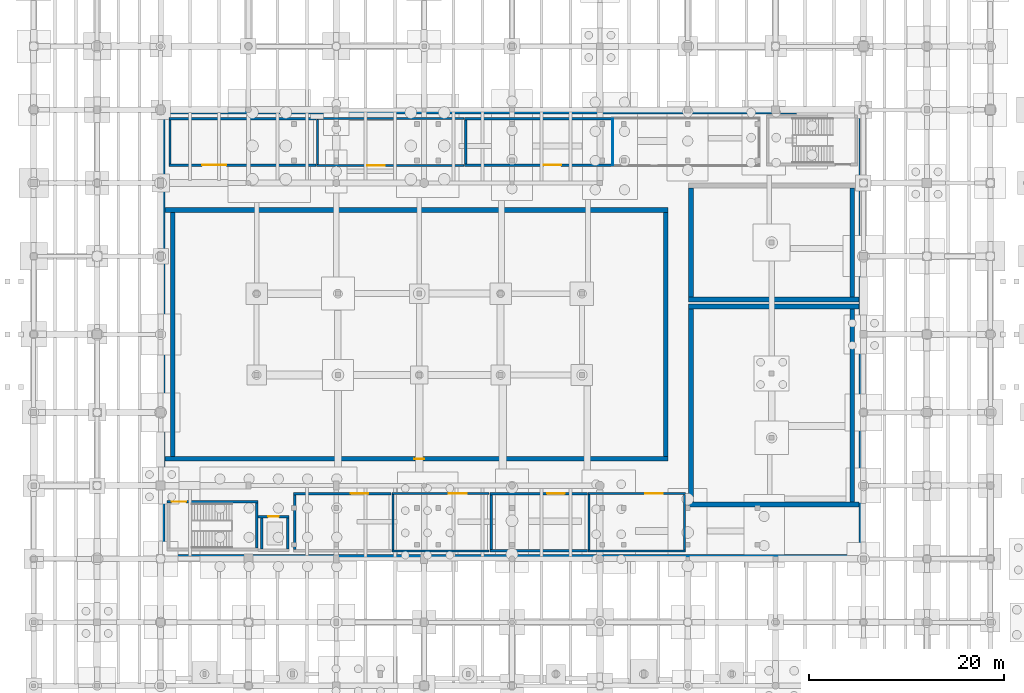
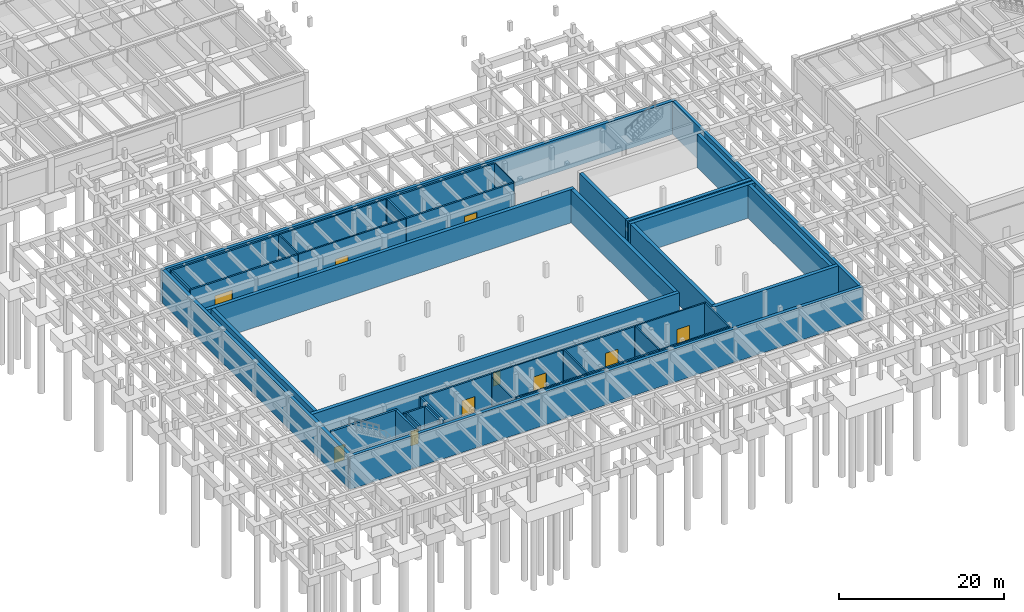
# One storey, part 28 of 36: 42 walls, 10 doors, 10 openings.
"""IFC4 building model written with IfcOpenShell, lengths in metres."""

from ifc_helpers import new_model, si_unit, direction, frame, frame_2d, origin, place, context, subcontext, project, spatial, rectangle, extrude, material, layer, layer_set, type_object, element, fill, save


model = new_model("IFC4")

# Units and contexts
model_context = context("Model", 3, precision=1e-05, world=origin(), true_north=direction((0.0, 1.0)))
body_context = subcontext(model_context, "Body", "Model", "MODEL_VIEW")
ifc_project = project(units=[si_unit("LENGTHUNIT", "METRE"), si_unit("AREAUNIT", "SQUARE_METRE"), si_unit("VOLUMEUNIT", "CUBIC_METRE"), si_unit("PLANEANGLEUNIT", "RADIAN"), si_unit("MASSUNIT", "GRAM", prefix="KILO"), si_unit("THERMODYNAMICTEMPERATUREUNIT", "KELVIN"), si_unit("POWERUNIT", "WATT")], contexts=[model_context])

# Site, building, storey
site_placement = place(None, origin())
site = spatial("IfcSite", under=ifc_project, at=site_placement, CompositionType="ELEMENT")
building_placement = place(site_placement, origin())
building = spatial("IfcBuilding", under=site, at=building_placement, Name="Tepalcoro Natatorium and Aquatics Centre", CompositionType="ELEMENT")
storey_placement = place(building_placement, frame((0.0, 0.0, -5.199951171875)))
storey = spatial("IfcBuildingStorey", under=building, at=storey_placement, Name="B1", CompositionType="ELEMENT", Elevation=-5.199951171875)

# Walls
ifc_material_1 = material(Name="Moisture-Resistant Acoustic Gypsum Drywall on Cold-Formed Metal Studs")
ifc_layer_1 = layer(ifc_material_1, 0.10009765625)
ifc_layer_set_1 = layer_set([ifc_layer_1], Name="Moisture-Resistant Acoustic Gypsum Drywall on Cold-Formed Metal Studs")
wall_type_1 = type_object("IfcWallType", Name="WL_PART_100", PredefinedType="PARTITIONING", material=ifc_layer_set_1)
wall_1_placement = place(storey_placement, frame((99.340087890625, 53.300048828125, 0.0), z_axis=(0.0, 0.0, 1.0), x_axis=(0.0, 1.0, 0.0)))
element("IfcWall", 1, at=wall_1_placement, inside=storey, type_object=wall_type_1, Name="Building Management Control & Workshop Suite Partition W", PredefinedType="PARTITIONING", context=body_context, shape_type="SweptSolid", body=[
    extrude(rectangle(XDim=4.800048828125, YDim=0.10009765625, at=frame_2d((2.39990234375, 0.0))), origin(), (0.0, 0.0, 1.0), 4.905029296875),
])
ifc_material_2 = material(Name="Concrete C40/50 (fc 40 MPa)", Category="concrete")
ifc_layer_2 = layer(ifc_material_2, 0.449951171875)
ifc_layer_set_2 = layer_set([ifc_layer_2], Name="Concrete C40/50 (fc 40 MPa)")
wall_type_2 = type_object("IfcWallType", Name="WL_RET_450", PredefinedType="USERDEFINED", material=ifc_layer_set_2)
for number, where, z_axis, x_axis, name in (
    (2, (53.0, 13.22509765625, 0.0), (0.0, 0.0, 1.0), (1.0, 0.0, 0.0), "V1 Basement Retaining Wall S"),
    (3, (53.0, 58.77490234375, 0.0), (0.0, 0.0, 1.0), (1.0, 0.0, 0.0), "V1 Basement Retaining Wall N"),
):
    element("IfcWall", number, at=place(storey_placement, frame(where, z_axis=z_axis, x_axis=x_axis)), inside=storey, type_object=wall_type_2, Name=name, ObjectType="RETAINING WALL", PredefinedType="USERDEFINED", context=body_context, shape_type="SweptSolid", body=[
        extrude(rectangle(XDim=72.0, YDim=0.449951171875, at=frame_2d((36.0, 0.0))), origin(), (0.0, 0.0, 1.0), 4.919921875),
    ])
for number, where, z_axis, x_axis, name in (
    (4, (53.22509765625, 13.449951171875, 0.0), (0.0, 0.0, 1.0), (0.0, 1.0, 0.0), "V1 Basement Retaining Wall W"),
    (5, (124.77490234375, 13.449951171875, 0.0), (0.0, 0.0, 1.0), (0.0, 1.0, 0.0), "V1 Basement Retaining Wall E"),
):
    element("IfcWall", number, at=place(storey_placement, frame(where, z_axis=z_axis, x_axis=x_axis)), inside=storey, type_object=wall_type_2, Name=name, ObjectType="RETAINING WALL", PredefinedType="USERDEFINED", context=body_context, shape_type="SweptSolid", body=[
        extrude(rectangle(XDim=45.10009765625, YDim=0.449951171875, at=frame_2d((22.550048828125, 0.0))), origin(), (0.0, 0.0, 1.0), 4.919921875),
    ])

# Wall, opening, door
ifc_layer_3 = layer(ifc_material_2, 0.239990234375)
ifc_layer_set_3 = layer_set([ifc_layer_3], Name="Concrete C40/50 (fc 40 MPa)")
wall_type_3 = type_object("IfcWallType", Name="WL_SHAFT_240", PredefinedType="SOLIDWALL", material=ifc_layer_set_3)
wall_2_placement = place(storey_placement, frame((63.0, 17.320068359375, 0.0), z_axis=(0.0, 0.0, 1.0), x_axis=(1.0, 0.0, 0.0)))
wall_2 = element("IfcWall", 6, at=wall_2_placement, inside=storey, type_object=wall_type_3, Name="LF01 Lift Shaft Wall N B1", PredefinedType="SOLIDWALL", context=body_context, shape_type="SweptSolid", body=[
    extrude(rectangle(XDim=3.139892578125, YDim=0.239990234375, at=frame_2d((1.56982421875, 0.0))), origin(), (0.0, 0.0, 1.0), 5.199951171875),
])
opening_1_placement = place(wall_2_placement, frame((1.02001953125, 0.0, 0.0)))
opening_1 = element("IfcOpeningElement", 7, at=opening_1_placement, cuts=wall_2, Name="Opening LD-LF01-B1", PredefinedType="OPENING", context=body_context, shape_type="SweptSolid", body=[
    extrude(rectangle(XDim=1.10009765625, YDim=2.14990234375, at=frame_2d((0.550048828125, 1.074951171875))), frame((0.0, 0.1318359375, 0.0), z_axis=(0.0, -1.0, 0.0), x_axis=(1.0, 0.0, 0.0)), (0.0, 0.0, 1.0), 0.263916015625),
])
ifc_material_3 = material(Name="Marine-Grade Brushed Stainless Steel AISI 316L", Category="steel")
door_type_1 = type_object("IfcDoorType", Name="DR_110x215_LIFT", OperationType="NOTDEFINED", PredefinedType="USERDEFINED", material=ifc_material_3)
door_1_placement = place(opening_1_placement, origin())
door_1 = element("IfcDoor", 8, at=door_1_placement, inside=storey, type_object=door_type_1, Name="LF01 Lift Landing Sliding Door (B1)", ObjectType="SLIDING LANDING DOOR", OperationType="SLIDING_TO_LEFT", OverallHeight=2.14990234375, OverallWidth=1.10009765625, PredefinedType="USERDEFINED", context=body_context, shape_type="SweptSolid", body=[
    extrude(rectangle(XDim=1.10009765625, YDim=2.14990234375, at=frame_2d((0.550048828125, 1.074951171875))), frame((0.0, 0.02490234375, 0.0), z_axis=(0.0, -1.0, 0.0), x_axis=(1.0, 0.0, 0.0)), (0.0, 0.0, 1.0), 0.050048828125),
])
fill(opening_1, door_1)

# Walls
for number, where, z_axis, x_axis, name in (
    (9, (63.3798828125, 14.0, 0.0), (0.0, 0.0, 1.0), (0.0, 1.0, 0.0), "LF01 Lift Shaft Wall W B1"),
    (10, (66.02001953125, 14.0, 0.0), (0.0, 0.0, 1.0), (0.0, 1.0, 0.0), "LF01 Lift Shaft Wall E B1"),
):
    element("IfcWall", number, at=place(storey_placement, frame(where, z_axis=z_axis, x_axis=x_axis)), inside=storey, type_object=wall_type_3, Name=name, PredefinedType="SOLIDWALL", context=body_context, shape_type="SweptSolid", body=[
        extrude(rectangle(XDim=3.199951171875, YDim=0.239990234375, at=frame_2d((1.60009765625, 0.0))), origin(), (0.0, 0.0, 1.0), 5.199951171875),
    ])

# Wall, opening, door
ifc_layer_4 = layer(ifc_material_2, 0.300048828125)
ifc_layer_set_4 = layer_set([ifc_layer_4], Name="Concrete C40/50 (fc 40 MPa)")
wall_type_4 = type_object("IfcWallType", Name="WL_SHEAR_300", PredefinedType="SHEAR", material=ifc_layer_set_4)
wall_3_placement = place(storey_placement, frame((53.64990234375, 18.85009765625, 0.0), z_axis=(0.0, 0.0, 1.0), x_axis=(1.0, 0.0, 0.0)))
wall_3 = element("IfcWall", 11, at=wall_3_placement, inside=storey, type_object=wall_type_4, Name="ST01 Core Shear Wall N B1", PredefinedType="SHEAR", context=body_context, shape_type="SweptSolid", body=[
    extrude(rectangle(XDim=9.35009765625, YDim=0.300048828125, at=frame_2d((4.675048828125, 0.0))), origin(), (0.0, 0.0, 1.0), 4.919921875),
])
opening_2_placement = place(wall_3_placement, frame((0.47998046875, 0.0, 0.0)))
opening_2 = element("IfcOpeningElement", 12, at=opening_2_placement, cuts=wall_3, Name="Opening D0001", PredefinedType="OPENING", context=body_context, shape_type="SweptSolid", body=[
    extrude(rectangle(XDim=1.5, YDim=2.300048828125, at=frame_2d((0.75, 1.14990234375))), frame((0.0, 0.162109375, 0.0), z_axis=(0.0, -1.0, 0.0), x_axis=(1.0, 0.0, 0.0)), (0.0, 0.0, 1.0), 0.323974609375),
])
ifc_material_4 = material(Name="Galvanised Steel Insulated Acoustic Fire Door Assembly", Category="steel")
door_type_2 = type_object("IfcDoorType", Name="DR_150x230_FD60", OperationType="NOTDEFINED", PredefinedType="DOOR", material=ifc_material_4)
door_2_placement = place(opening_2_placement, frame((1.5, 0.0, 0.0), z_axis=(0.0, 0.0, 1.0), x_axis=(-1.0, 0.0, 0.0)))
door_2 = element("IfcDoor", 13, at=door_2_placement, inside=storey, type_object=door_type_2, Name="ST01 Fire Stair Door (B1)", OperationType="DOUBLE_DOOR_SINGLE_SWING", OverallHeight=2.300048828125, OverallWidth=1.5, PredefinedType="DOOR", context=body_context, shape_type="SweptSolid", body=[
    extrude(rectangle(XDim=1.5, YDim=2.300048828125, at=frame_2d((0.75, 1.14990234375))), frame((0.0, 0.02490234375, 0.0), z_axis=(0.0, -1.0, 0.0), x_axis=(1.0, 0.0, 0.0)), (0.0, 0.0, 1.0), 0.050048828125),
])
fill(opening_2, door_2)

# Walls
wall_4_placement = place(storey_placement, frame((62.85009765625, 14.10009765625, 0.0), z_axis=(0.0, 0.0, 1.0), x_axis=(0.0, 1.0, 0.0)))
element("IfcWall", 14, at=wall_4_placement, inside=storey, type_object=wall_type_4, Name="ST01 Core Shear Wall E B1", PredefinedType="SHEAR", context=body_context, shape_type="SweptSolid", body=[
    extrude(rectangle(XDim=4.599853515625, YDim=0.300048828125, at=frame_2d((2.2998046875, 0.0))), origin(), (0.0, 0.0, 1.0), 4.919921875),
])
ifc_material_5 = material(Name="Concrete C35/45 (fc 35 MPa)", Category="concrete")
ifc_layer_5 = layer(ifc_material_5, 0.205078125)
ifc_layer_set_5 = layer_set([ifc_layer_5], Name="Concrete C35/45 (fc 35 MPa)")
wall_type_5 = type_object("IfcWallType", Name="WL_SOLID_200_FR120", PredefinedType="SOLIDWALL", material=ifc_layer_set_5)
wall_5_placement = place(storey_placement, frame((76.68994140625, 13.802490234375, 0.0), z_axis=(0.0, 0.0, 1.0), x_axis=(1.0, 0.0, 0.0)))
element("IfcWall", 15, at=wall_5_placement, inside=storey, type_object=wall_type_5, Name="Pool Plant Competition Sand Filtration Battery Room Partition S", PredefinedType="SOLIDWALL", context=body_context, shape_type="SweptSolid", body=[
    extrude(rectangle(XDim=9.969970703125, YDim=0.205078125, at=frame_2d((4.98486328125, 0.0))), origin(), (0.0, 0.0, 1.0), 4.905029296875),
])

# Wall, opening, door
wall_6_placement = place(storey_placement, frame((76.68994140625, 19.697509765625, 0.0), z_axis=(0.0, 0.0, 1.0), x_axis=(1.0, 0.0, 0.0)))
wall_6 = element("IfcWall", 16, at=wall_6_placement, inside=storey, type_object=wall_type_5, Name="Pool Plant Competition Sand Filtration Battery Room Partition N", PredefinedType="SOLIDWALL", context=body_context, shape_type="SweptSolid", body=[
    extrude(rectangle(XDim=9.969970703125, YDim=0.205078125, at=frame_2d((4.98486328125, 0.0))), origin(), (0.0, 0.0, 1.0), 4.905029296875),
])
opening_3_placement = place(wall_6_placement, frame((5.8525390625, 0.0, 0.0)))
opening_3 = element("IfcOpeningElement", 17, at=opening_3_placement, cuts=wall_6, Name="Opening D0052", PredefinedType="OPENING", context=body_context, shape_type="SweptSolid", body=[
    extrude(rectangle(XDim=1.800048828125, YDim=2.35009765625, at=frame_2d((0.89990234375, 1.175048828125))), frame((0.0, 0.114501953125, 0.0), z_axis=(0.0, -1.0, 0.0), x_axis=(1.0, 0.0, 0.0)), (0.0, 0.0, 1.0), 0.22900390625),
])
door_type_3 = type_object("IfcDoorType", Name="DR_180x240_PLANT", OperationType="NOTDEFINED", PredefinedType="DOOR", material=ifc_material_4)
door_3_placement = place(opening_3_placement, frame((1.800048828125, 0.0, 0.0), z_axis=(0.0, 0.0, 1.0), x_axis=(-1.0, 0.0, 0.0)))
door_3 = element("IfcDoor", 18, at=door_3_placement, inside=storey, type_object=door_type_3, Name="Pool Plant Competition Sand Filtration Battery Room Door", OperationType="DOUBLE_DOOR_SINGLE_SWING", OverallHeight=2.35009765625, OverallWidth=1.800048828125, PredefinedType="DOOR", context=body_context, shape_type="SweptSolid", body=[
    extrude(rectangle(XDim=1.800048828125, YDim=2.35009765625, at=frame_2d((0.89990234375, 1.175048828125))), frame((0.0, 0.02490234375, 0.0), z_axis=(0.0, -1.0, 0.0), x_axis=(1.0, 0.0, 0.0)), (0.0, 0.0, 1.0), 0.050048828125),
])
fill(opening_3, door_3)

# Walls
wall_7_placement = place(storey_placement, frame((76.79248046875, 13.905029296875, 0.0), z_axis=(0.0, 0.0, 1.0), x_axis=(0.0, 1.0, 0.0)))
element("IfcWall", 19, at=wall_7_placement, inside=storey, type_object=wall_type_5, Name="Pool Plant Competition Sand Filtration Battery Room Partition W", PredefinedType="SOLIDWALL", context=body_context, shape_type="SweptSolid", body=[
    extrude(rectangle(XDim=5.68994140625, YDim=0.205078125, at=frame_2d((2.844970703125, 0.0))), origin(), (0.0, 0.0, 1.0), 4.320068359375),
])
wall_8_placement = place(storey_placement, frame((96.7900390625, 13.802490234375, 0.0), z_axis=(0.0, 0.0, 1.0), x_axis=(1.0, 0.0, 0.0)))
element("IfcWall", 20, at=wall_8_placement, inside=storey, type_object=wall_type_5, Name="Geothermal Heat-Pump & Plate Exchanger Plant Partition S", PredefinedType="SOLIDWALL", context=body_context, shape_type="SweptSolid", body=[
    extrude(rectangle(XDim=9.969970703125, YDim=0.205078125, at=frame_2d((4.98486328125, 0.0))), origin(), (0.0, 0.0, 1.0), 4.905029296875),
])

# Wall, opening, door
wall_9_placement = place(storey_placement, frame((96.7900390625, 19.697509765625, 0.0), z_axis=(0.0, 0.0, 1.0), x_axis=(1.0, 0.0, 0.0)))
wall_9 = element("IfcWall", 21, at=wall_9_placement, inside=storey, type_object=wall_type_5, Name="Geothermal Heat-Pump & Plate Exchanger Plant Partition N", PredefinedType="SOLIDWALL", context=body_context, shape_type="SweptSolid", body=[
    extrude(rectangle(XDim=9.969970703125, YDim=0.205078125, at=frame_2d((4.98486328125, 0.0))), origin(), (0.0, 0.0, 1.0), 4.905029296875),
])
opening_4_placement = place(wall_9_placement, frame((5.8525390625, 0.0, 0.0)))
opening_4 = element("IfcOpeningElement", 22, at=opening_4_placement, cuts=wall_9, Name="Opening D0054", PredefinedType="OPENING", context=body_context, shape_type="SweptSolid", body=[
    extrude(rectangle(XDim=1.800048828125, YDim=2.35009765625, at=frame_2d((0.89990234375, 1.175048828125))), frame((0.0, 0.114501953125, 0.0), z_axis=(0.0, -1.0, 0.0), x_axis=(1.0, 0.0, 0.0)), (0.0, 0.0, 1.0), 0.22900390625),
])
door_4_placement = place(opening_4_placement, frame((1.800048828125, 0.0, 0.0), z_axis=(0.0, 0.0, 1.0), x_axis=(-1.0, 0.0, 0.0)))
door_4 = element("IfcDoor", 23, at=door_4_placement, inside=storey, type_object=door_type_3, Name="Geothermal Heat-Pump & Plate Exchanger Plant Door", OperationType="DOUBLE_DOOR_SINGLE_SWING", OverallHeight=2.35009765625, OverallWidth=1.800048828125, PredefinedType="DOOR", context=body_context, shape_type="SweptSolid", body=[
    extrude(rectangle(XDim=1.800048828125, YDim=2.35009765625, at=frame_2d((0.89990234375, 1.175048828125))), frame((0.0, 0.02490234375, 0.0), z_axis=(0.0, -1.0, 0.0), x_axis=(1.0, 0.0, 0.0)), (0.0, 0.0, 1.0), 0.050048828125),
])
fill(opening_4, door_4)

# Walls
for number, where, z_axis, x_axis, name in (
    (24, (106.657470703125, 13.905029296875, 0.0), (0.0, 0.0, 1.0), (0.0, 1.0, 0.0), "Geothermal Heat-Pump & Plate Exchanger Plant Partition E"),
    (25, (96.892578125, 13.905029296875, 0.0), (0.0, 0.0, 1.0), (0.0, 1.0, 0.0), "Geothermal Heat-Pump & Plate Exchanger Plant Partition W"),
):
    element("IfcWall", number, at=place(storey_placement, frame(where, z_axis=z_axis, x_axis=x_axis)), inside=storey, type_object=wall_type_5, Name=name, PredefinedType="SOLIDWALL", context=body_context, shape_type="SweptSolid", body=[
        extrude(rectangle(XDim=5.68994140625, YDim=0.205078125, at=frame_2d((2.844970703125, 0.0))), origin(), (0.0, 0.0, 1.0), 4.905029296875),
    ])

# Wall, opening, door
wall_10_placement = place(storey_placement, frame((68.989990234375, 53.302490234375, 0.0), z_axis=(0.0, 0.0, 1.0), x_axis=(1.0, 0.0, 0.0)))
wall_10 = element("IfcWall", 26, at=wall_10_placement, inside=storey, type_object=wall_type_5, Name="Standby Emergency Generator Hall Partition S", PredefinedType="SOLIDWALL", context=body_context, shape_type="SweptSolid", body=[
    extrude(rectangle(XDim=15.070068359375, YDim=0.205078125, at=frame_2d((7.53515625, 0.0))), origin(), (0.0, 0.0, 1.0), 4.905029296875),
])
opening_5_placement = place(wall_10_placement, frame((5.174560546875, 0.0, 0.0)))
opening_5 = element("IfcOpeningElement", 27, at=opening_5_placement, cuts=wall_10, Name="Opening D0056", PredefinedType="OPENING", context=body_context, shape_type="SweptSolid", body=[
    extrude(rectangle(XDim=1.800048828125, YDim=2.35009765625, at=frame_2d((0.89990234375, 1.175048828125))), frame((0.0, 0.114501953125, 0.0), z_axis=(0.0, -1.0, 0.0), x_axis=(1.0, 0.0, 0.0)), (0.0, 0.0, 1.0), 0.22900390625),
])
door_5_placement = place(opening_5_placement, origin())
door_5 = element("IfcDoor", 28, at=door_5_placement, inside=storey, type_object=door_type_3, Name="Standby Emergency Generator Hall Door", OperationType="DOUBLE_DOOR_SINGLE_SWING", OverallHeight=2.35009765625, OverallWidth=1.800048828125, PredefinedType="DOOR", context=body_context, shape_type="SweptSolid", body=[
    extrude(rectangle(XDim=1.800048828125, YDim=2.35009765625, at=frame_2d((0.89990234375, 1.175048828125))), frame((0.0, 0.02490234375, 0.0), z_axis=(0.0, -1.0, 0.0), x_axis=(1.0, 0.0, 0.0)), (0.0, 0.0, 1.0), 0.050048828125),
])
fill(opening_5, door_5)

# Walls
wall_11_placement = place(storey_placement, frame((68.989990234375, 58.097412109375, 0.0), z_axis=(0.0, 0.0, 1.0), x_axis=(1.0, 0.0, 0.0)))
element("IfcWall", 29, at=wall_11_placement, inside=storey, type_object=wall_type_5, Name="Standby Emergency Generator Hall Partition N", PredefinedType="SOLIDWALL", context=body_context, shape_type="SweptSolid", body=[
    extrude(rectangle(XDim=15.070068359375, YDim=0.205078125, at=frame_2d((7.53515625, 0.0))), origin(), (0.0, 0.0, 1.0), 4.905029296875),
])
wall_12_placement = place(storey_placement, frame((69.092529296875, 53.405029296875, 0.0), z_axis=(0.0, 0.0, 1.0), x_axis=(0.0, 1.0, 0.0)))
element("IfcWall", 30, at=wall_12_placement, inside=storey, type_object=wall_type_5, Name="Standby Emergency Generator Hall Partition W", PredefinedType="SOLIDWALL", context=body_context, shape_type="SweptSolid", body=[
    extrude(rectangle(XDim=4.590087890625, YDim=0.205078125, at=frame_2d((2.294921875, 0.0))), origin(), (0.0, 0.0, 1.0), 4.905029296875),
])

# Wall, opening, door
ifc_layer_6 = layer(ifc_material_5, 0.2451171875)
ifc_layer_set_6 = layer_set([ifc_layer_6], Name="Concrete C35/45 (fc 35 MPa)")
wall_type_6 = type_object("IfcWallType", Name="WL_SOLID_240_FR120", PredefinedType="SOLIDWALL", material=ifc_layer_set_6)
wall_13_placement = place(storey_placement, frame((66.639892578125, 19.677490234375, 0.0), z_axis=(0.0, 0.0, 1.0), x_axis=(1.0, 0.0, 0.0)))
wall_13 = element("IfcWall", 31, at=wall_13_placement, inside=storey, type_object=wall_type_6, Name="Pool Plant Competition Ozone & UV Disinfection Hall Partition N", PredefinedType="SOLIDWALL", context=body_context, shape_type="SweptSolid", body=[
    extrude(rectangle(XDim=9.97021484375, YDim=0.2451171875, at=frame_2d((4.985107421875, 0.0))), origin(), (0.0, 0.0, 1.0), 4.905029296875),
])
opening_6_placement = place(wall_13_placement, frame((5.8525390625, 0.0, 0.0)))
opening_6 = element("IfcOpeningElement", 32, at=opening_6_placement, cuts=wall_13, Name="Opening D0051", PredefinedType="OPENING", context=body_context, shape_type="SweptSolid", body=[
    extrude(rectangle(XDim=1.800048828125, YDim=2.35009765625, at=frame_2d((0.89990234375, 1.175048828125))), frame((0.0, 0.134521484375, 0.0), z_axis=(0.0, -1.0, 0.0), x_axis=(1.0, 0.0, 0.0)), (0.0, 0.0, 1.0), 0.26904296875),
])
door_6_placement = place(opening_6_placement, frame((1.800048828125, 0.0, 0.0), z_axis=(0.0, 0.0, 1.0), x_axis=(-1.0, 0.0, 0.0)))
door_6 = element("IfcDoor", 33, at=door_6_placement, inside=storey, type_object=door_type_3, Name="Pool Plant Competition Ozone & UV Disinfection Hall Door", OperationType="DOUBLE_DOOR_SINGLE_SWING", OverallHeight=2.35009765625, OverallWidth=1.800048828125, PredefinedType="DOOR", context=body_context, shape_type="SweptSolid", body=[
    extrude(rectangle(XDim=1.800048828125, YDim=2.35009765625, at=frame_2d((0.89990234375, 1.175048828125))), frame((0.0, 0.02490234375, 0.0), z_axis=(0.0, -1.0, 0.0), x_axis=(1.0, 0.0, 0.0)), (0.0, 0.0, 1.0), 0.050048828125),
])
fill(opening_6, door_6)

# Walls
wall_14_placement = place(storey_placement, frame((66.762451171875, 13.945068359375, 0.0), z_axis=(0.0, 0.0, 1.0), x_axis=(0.0, 1.0, 0.0)))
element("IfcWall", 34, at=wall_14_placement, inside=storey, type_object=wall_type_6, Name="Pool Plant Competition Ozone & UV Disinfection Hall Partition W", PredefinedType="SOLIDWALL", context=body_context, shape_type="SweptSolid", body=[
    extrude(rectangle(XDim=5.60986328125, YDim=0.2451171875, at=frame_2d((2.804931640625, 0.0))), origin(), (0.0, 0.0, 1.0), 4.905029296875),
])
wall_15_placement = place(storey_placement, frame((86.739990234375, 13.822509765625, 0.0), z_axis=(0.0, 0.0, 1.0), x_axis=(1.0, 0.0, 0.0)))
element("IfcWall", 35, at=wall_15_placement, inside=storey, type_object=wall_type_6, Name="Competition Pool Surge & Balance Tank Chamber Partition S", PredefinedType="SOLIDWALL", context=body_context, shape_type="SweptSolid", body=[
    extrude(rectangle(XDim=9.969970703125, YDim=0.2451171875, at=frame_2d((4.98486328125, 0.0))), origin(), (0.0, 0.0, 1.0), 4.905029296875),
])

# Wall, opening, door
wall_16_placement = place(storey_placement, frame((86.739990234375, 19.677490234375, 0.0), z_axis=(0.0, 0.0, 1.0), x_axis=(1.0, 0.0, 0.0)))
wall_16 = element("IfcWall", 36, at=wall_16_placement, inside=storey, type_object=wall_type_6, Name="Competition Pool Surge & Balance Tank Chamber Partition N", PredefinedType="SOLIDWALL", context=body_context, shape_type="SweptSolid", body=[
    extrude(rectangle(XDim=9.969970703125, YDim=0.2451171875, at=frame_2d((4.98486328125, 0.0))), origin(), (0.0, 0.0, 1.0), 4.905029296875),
])
opening_7_placement = place(wall_16_placement, frame((5.8525390625, 0.0, 0.0)))
opening_7 = element("IfcOpeningElement", 37, at=opening_7_placement, cuts=wall_16, Name="Opening D0053", PredefinedType="OPENING", context=body_context, shape_type="SweptSolid", body=[
    extrude(rectangle(XDim=1.800048828125, YDim=2.35009765625, at=frame_2d((0.89990234375, 1.175048828125))), frame((0.0, 0.134521484375, 0.0), z_axis=(0.0, -1.0, 0.0), x_axis=(1.0, 0.0, 0.0)), (0.0, 0.0, 1.0), 0.26904296875),
])
door_7_placement = place(opening_7_placement, frame((1.800048828125, 0.0, 0.0), z_axis=(0.0, 0.0, 1.0), x_axis=(-1.0, 0.0, 0.0)))
door_7 = element("IfcDoor", 38, at=door_7_placement, inside=storey, type_object=door_type_3, Name="Competition Pool Surge & Balance Tank Chamber Door", OperationType="DOUBLE_DOOR_SINGLE_SWING", OverallHeight=2.35009765625, OverallWidth=1.800048828125, PredefinedType="DOOR", context=body_context, shape_type="SweptSolid", body=[
    extrude(rectangle(XDim=1.800048828125, YDim=2.35009765625, at=frame_2d((0.89990234375, 1.175048828125))), frame((0.0, 0.02490234375, 0.0), z_axis=(0.0, -1.0, 0.0), x_axis=(1.0, 0.0, 0.0)), (0.0, 0.0, 1.0), 0.050048828125),
])
fill(opening_7, door_7)

# Wall
wall_17_placement = place(storey_placement, frame((86.862548828125, 13.945068359375, 0.0), z_axis=(0.0, 0.0, 1.0), x_axis=(0.0, 1.0, 0.0)))
element("IfcWall", 39, at=wall_17_placement, inside=storey, type_object=wall_type_6, Name="Competition Pool Surge & Balance Tank Chamber Partition W", PredefinedType="SOLIDWALL", context=body_context, shape_type="SweptSolid", body=[
    extrude(rectangle(XDim=5.60986328125, YDim=0.2451171875, at=frame_2d((2.804931640625, 0.0))), origin(), (0.0, 0.0, 1.0), 4.905029296875),
])

# Wall, opening, door
wall_18_placement = place(storey_placement, frame((53.840087890625, 53.322509765625, 0.0), z_axis=(0.0, 0.0, 1.0), x_axis=(1.0, 0.0, 0.0)))
wall_18 = element("IfcWall", 40, at=wall_18_placement, inside=storey, type_object=wall_type_6, Name="Medium-Voltage Electrical Substation Hall Partition S", PredefinedType="SOLIDWALL", context=body_context, shape_type="SweptSolid", body=[
    extrude(rectangle(XDim=15.06982421875, YDim=0.2451171875, at=frame_2d((7.534912109375, 0.0))), origin(), (0.0, 0.0, 1.0), 4.905029296875),
])
opening_8_placement = place(wall_18_placement, frame((3.422607421875, 0.0, 0.0)))
opening_8 = element("IfcOpeningElement", 41, at=opening_8_placement, cuts=wall_18, Name="Opening D0055", PredefinedType="OPENING", context=body_context, shape_type="SweptSolid", body=[
    extrude(rectangle(XDim=2.47998046875, YDim=2.85009765625, at=frame_2d((1.239990234375, 1.425048828125))), frame((0.0, 0.134521484375, 0.0), z_axis=(0.0, -1.0, 0.0), x_axis=(1.0, 0.0, 0.0)), (0.0, 0.0, 1.0), 0.26904296875),
])
door_type_4 = type_object("IfcDoorType", Name="DR_320x340_ROLL", OperationType="NOTDEFINED", PredefinedType="GATE", material=ifc_material_4)
door_8_placement = place(opening_8_placement, origin())
door_8 = element("IfcDoor", 42, at=door_8_placement, inside=storey, type_object=door_type_4, Name="Medium-Voltage Electrical Substation Hall Door", OperationType="ROLLINGUP", OverallHeight=2.85009765625, OverallWidth=2.47998046875, PredefinedType="GATE", context=body_context, shape_type="SweptSolid", body=[
    extrude(rectangle(XDim=2.47998046875, YDim=2.85009765625, at=frame_2d((1.239990234375, 1.425048828125))), frame((0.0, 0.02490234375, 0.0), z_axis=(0.0, -1.0, 0.0), x_axis=(1.0, 0.0, 0.0)), (0.0, 0.0, 1.0), 0.050048828125),
])
fill(opening_8, door_8)

# Walls
wall_19_placement = place(storey_placement, frame((53.840087890625, 58.077392578125, 0.0), z_axis=(0.0, 0.0, 1.0), x_axis=(1.0, 0.0, 0.0)))
element("IfcWall", 43, at=wall_19_placement, inside=storey, type_object=wall_type_6, Name="Medium-Voltage Electrical Substation Hall Partition N", PredefinedType="SOLIDWALL", context=body_context, shape_type="SweptSolid", body=[
    extrude(rectangle(XDim=15.06982421875, YDim=0.2451171875, at=frame_2d((7.534912109375, 0.0))), origin(), (0.0, 0.0, 1.0), 4.905029296875),
])
wall_20_placement = place(storey_placement, frame((53.96240234375, 53.445068359375, 0.0), z_axis=(0.0, 0.0, 1.0), x_axis=(0.0, 1.0, 0.0)))
element("IfcWall", 44, at=wall_20_placement, inside=storey, type_object=wall_type_6, Name="Medium-Voltage Electrical Substation Hall Partition W", PredefinedType="SOLIDWALL", context=body_context, shape_type="SweptSolid", body=[
    extrude(rectangle(XDim=4.510009765625, YDim=0.2451171875, at=frame_2d((2.2548828125, 0.0))), origin(), (0.0, 0.0, 1.0), 4.905029296875),
])

# Wall, opening, door
wall_21_placement = place(storey_placement, frame((84.139892578125, 53.322509765625, 0.0), z_axis=(0.0, 0.0, 1.0), x_axis=(1.0, 0.0, 0.0)))
wall_21 = element("IfcWall", 45, at=wall_21_placement, inside=storey, type_object=wall_type_6, Name="Natatorium Dehumidification AHU Plant Hall Partition S", PredefinedType="SOLIDWALL", context=body_context, shape_type="SweptSolid", body=[
    extrude(rectangle(XDim=15.070068359375, YDim=0.2451171875, at=frame_2d((7.53515625, 0.0))), origin(), (0.0, 0.0, 1.0), 4.905029296875),
])
opening_9_placement = place(wall_21_placement, frame((8.095458984375, 0.0, 0.0)))
opening_9 = element("IfcOpeningElement", 46, at=opening_9_placement, cuts=wall_21, Name="Opening D0057", PredefinedType="OPENING", context=body_context, shape_type="SweptSolid", body=[
    extrude(rectangle(XDim=1.800048828125, YDim=2.35009765625, at=frame_2d((0.89990234375, 1.175048828125))), frame((0.0, 0.134521484375, 0.0), z_axis=(0.0, -1.0, 0.0), x_axis=(1.0, 0.0, 0.0)), (0.0, 0.0, 1.0), 0.26904296875),
])
door_9_placement = place(opening_9_placement, origin())
door_9 = element("IfcDoor", 47, at=door_9_placement, inside=storey, type_object=door_type_3, Name="Natatorium Dehumidification AHU Plant Hall Door", OperationType="DOUBLE_DOOR_SINGLE_SWING", OverallHeight=2.35009765625, OverallWidth=1.800048828125, PredefinedType="DOOR", context=body_context, shape_type="SweptSolid", body=[
    extrude(rectangle(XDim=1.800048828125, YDim=2.35009765625, at=frame_2d((0.89990234375, 1.175048828125))), frame((0.0, 0.02490234375, 0.0), z_axis=(0.0, -1.0, 0.0), x_axis=(1.0, 0.0, 0.0)), (0.0, 0.0, 1.0), 0.050048828125),
])
fill(opening_9, door_9)

# Walls
wall_22_placement = place(storey_placement, frame((84.139892578125, 58.077392578125, 0.0), z_axis=(0.0, 0.0, 1.0), x_axis=(1.0, 0.0, 0.0)))
element("IfcWall", 48, at=wall_22_placement, inside=storey, type_object=wall_type_6, Name="Natatorium Dehumidification AHU Plant Hall Partition N", PredefinedType="SOLIDWALL", context=body_context, shape_type="SweptSolid", body=[
    extrude(rectangle(XDim=15.070068359375, YDim=0.2451171875, at=frame_2d((7.53515625, 0.0))), origin(), (0.0, 0.0, 1.0), 4.905029296875),
])
wall_23_placement = place(storey_placement, frame((84.262451171875, 53.445068359375, 0.0), z_axis=(0.0, 0.0, 1.0), x_axis=(0.0, 1.0, 0.0)))
element("IfcWall", 49, at=wall_23_placement, inside=storey, type_object=wall_type_6, Name="Natatorium Dehumidification AHU Plant Hall Partition W", PredefinedType="SOLIDWALL", context=body_context, shape_type="SweptSolid", body=[
    extrude(rectangle(XDim=4.510009765625, YDim=0.2451171875, at=frame_2d((2.2548828125, 0.0))), origin(), (0.0, 0.0, 1.0), 4.905029296875),
])

# Wall, opening, door
ifc_layer_7 = layer(ifc_material_2, 0.5)
ifc_layer_set_7 = layer_set([ifc_layer_7], Name="Concrete C40/50 (fc 40 MPa)")
wall_type_7 = type_object("IfcWallType", Name="WL_TANK_500", PredefinedType="USERDEFINED", material=ifc_layer_set_7)
wall_24_placement = place(storey_placement, frame((53.449951171875, 23.25, 0.0), z_axis=(0.0, 0.0, 1.0), x_axis=(1.0, 0.0, 0.0)))
wall_24 = element("IfcWall", 50, at=wall_24_placement, inside=storey, type_object=wall_type_7, Name="Competition Pool Tank Wall S", ObjectType="RETAINING WALL", PredefinedType="USERDEFINED", context=body_context, shape_type="SweptSolid", body=[
    extrude(rectangle(XDim=51.550048828125, YDim=0.5, at=frame_2d((25.77490234375, 0.0))), origin(), (0.0, 0.0, 1.0), 4.919921875),
])
opening_10_placement = place(wall_24_placement, frame((25.550048828125, 0.0, 0.0)))
opening_10 = element("IfcOpeningElement", 51, at=opening_10_placement, cuts=wall_24, Name="Opening D0000", PredefinedType="OPENING", context=body_context, shape_type="SweptSolid", body=[
    extrude(rectangle(XDim=1.0, YDim=1.989990234375, at=frame_2d((0.5, 0.9951171875))), frame((0.0, 0.261962890625, 0.0), z_axis=(0.0, -1.0, 0.0), x_axis=(1.0, 0.0, 0.0)), (0.0, 0.0, 1.0), 0.52392578125),
])
door_type_5 = type_object("IfcDoorType", Name="DR_100x199_PLANT", OperationType="NOTDEFINED", PredefinedType="DOOR", material=ifc_material_4)
door_10_placement = place(opening_10_placement, origin())
door_10 = element("IfcDoor", 52, at=door_10_placement, inside=storey, type_object=door_type_5, Name="Competition Basin Under-Croft Bulkhead Door", OperationType="SINGLE_SWING_LEFT", OverallHeight=1.989990234375, OverallWidth=1.0, PredefinedType="DOOR", context=body_context, shape_type="SweptSolid", body=[
    extrude(rectangle(XDim=1.0, YDim=1.989990234375, at=frame_2d((0.5, 0.9951171875))), frame((0.0, 0.02490234375, 0.0), z_axis=(0.0, -1.0, 0.0), x_axis=(1.0, 0.0, 0.0)), (0.0, 0.0, 1.0), 0.050048828125),
])
fill(opening_10, door_10)

# Walls
wall_25_placement = place(storey_placement, frame((53.449951171875, 48.75, 0.0), z_axis=(0.0, 0.0, 1.0), x_axis=(1.0, 0.0, 0.0)))
element("IfcWall", 53, at=wall_25_placement, inside=storey, type_object=wall_type_7, Name="Competition Pool Tank Wall N", ObjectType="RETAINING WALL", PredefinedType="USERDEFINED", context=body_context, shape_type="SweptSolid", body=[
    extrude(rectangle(XDim=51.550048828125, YDim=0.5, at=frame_2d((25.77490234375, 0.0))), origin(), (0.0, 0.0, 1.0), 4.919921875),
])
for number, where, z_axis, x_axis, name in (
    (54, (54.25, 23.5, 0.0), (0.0, 0.0, 1.0), (0.0, 1.0, 0.0), "Competition Pool Tank Wall W"),
    (55, (104.75, 23.5, 0.0), (0.0, 0.0, 1.0), (0.0, 1.0, 0.0), "Competition Pool Tank Wall E"),
):
    element("IfcWall", number, at=place(storey_placement, frame(where, z_axis=z_axis, x_axis=x_axis)), inside=storey, type_object=wall_type_7, Name=name, ObjectType="RETAINING WALL", PredefinedType="USERDEFINED", context=body_context, shape_type="SweptSolid", body=[
        extrude(rectangle(XDim=25.0, YDim=0.5, at=frame_2d((12.5, 0.0))), origin(), (0.0, 0.0, 1.0), 4.919921875),
    ])
for number, where, z_axis, x_axis, name in (
    (56, (107.10009765625, 18.550048828125, 0.0), (0.0, 0.0, 1.0), (1.0, 0.0, 0.0), "Training Pool Tank Wall S"),
    (57, (107.10009765625, 38.85009765625, 0.0), (0.0, 0.0, 1.0), (1.0, 0.0, 0.0), "Training Pool Tank Wall N"),
):
    element("IfcWall", number, at=place(storey_placement, frame(where, z_axis=z_axis, x_axis=x_axis)), inside=storey, type_object=wall_type_7, Name=name, ObjectType="RETAINING WALL", PredefinedType="USERDEFINED", context=body_context, shape_type="SweptSolid", body=[
        extrude(rectangle(XDim=17.449951171875, YDim=0.5, at=frame_2d((8.72509765625, 0.0))), origin(), (0.0, 0.0, 1.0), 4.919921875),
    ])
for number, where, z_axis, x_axis, name in (
    (58, (107.35009765625, 18.800048828125, 0.0), (0.0, 0.0, 1.0), (0.0, 1.0, 0.0), "Training Pool Tank Wall W"),
    (59, (123.85009765625, 18.800048828125, 0.0), (0.0, 0.0, 1.0), (0.0, 1.0, 0.0), "Training Pool Tank Wall E"),
):
    element("IfcWall", number, at=place(storey_placement, frame(where, z_axis=z_axis, x_axis=x_axis)), inside=storey, type_object=wall_type_7, Name=name, ObjectType="RETAINING WALL", PredefinedType="USERDEFINED", context=body_context, shape_type="SweptSolid", body=[
        extrude(rectangle(XDim=19.800048828125, YDim=0.5, at=frame_2d((9.89990234375, 0.0))), origin(), (0.0, 0.0, 1.0), 4.919921875),
    ])
wall_26_placement = place(storey_placement, frame((107.10009765625, 39.550048828125, 0.0), z_axis=(0.0, 0.0, 1.0), x_axis=(1.0, 0.0, 0.0)))
element("IfcWall", 60, at=wall_26_placement, inside=storey, type_object=wall_type_7, Name="Leisure Pool Tank Wall S", ObjectType="RETAINING WALL", PredefinedType="USERDEFINED", context=body_context, shape_type="SweptSolid", body=[
    extrude(rectangle(XDim=17.449951171875, YDim=0.5, at=frame_2d((8.72509765625, 0.0))), origin(), (0.0, 0.0, 1.0), 4.919921875),
])
for number, where, z_axis, x_axis, name in (
    (61, (107.35009765625, 39.800048828125, 0.0), (0.0, 0.0, 1.0), (0.0, 1.0, 0.0), "Leisure Pool Tank Wall W"),
    (62, (123.85009765625, 39.800048828125, 0.0), (0.0, 0.0, 1.0), (0.0, 1.0, 0.0), "Leisure Pool Tank Wall E"),
):
    element("IfcWall", number, at=place(storey_placement, frame(where, z_axis=z_axis, x_axis=x_axis)), inside=storey, type_object=wall_type_7, Name=name, ObjectType="RETAINING WALL", PredefinedType="USERDEFINED", context=body_context, shape_type="SweptSolid", body=[
        extrude(rectangle(XDim=11.199951171875, YDim=0.5, at=frame_2d((5.60009765625, 0.0))), origin(), (0.0, 0.0, 1.0), 4.919921875),
    ])

save(model, "model.ifc")
